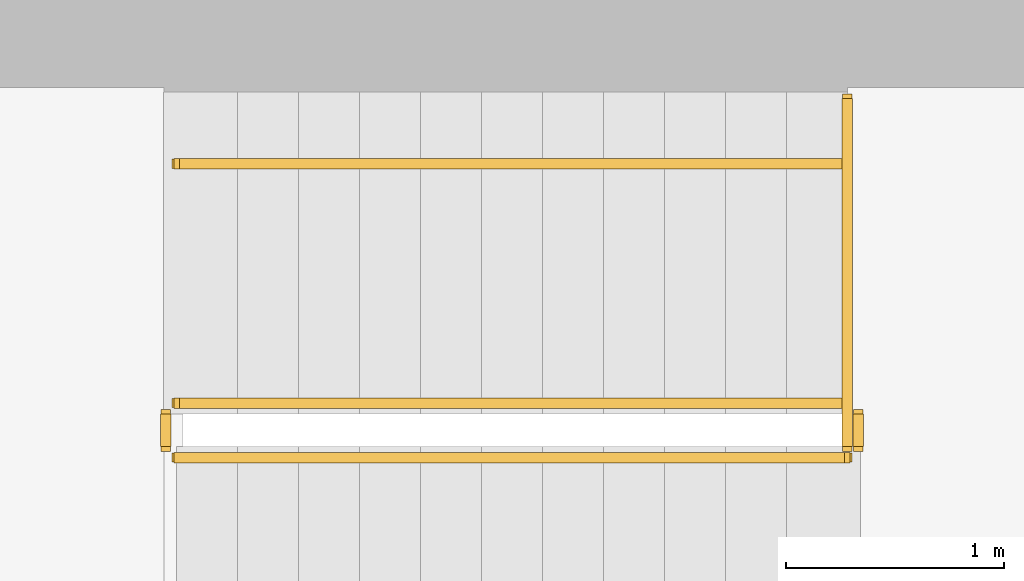
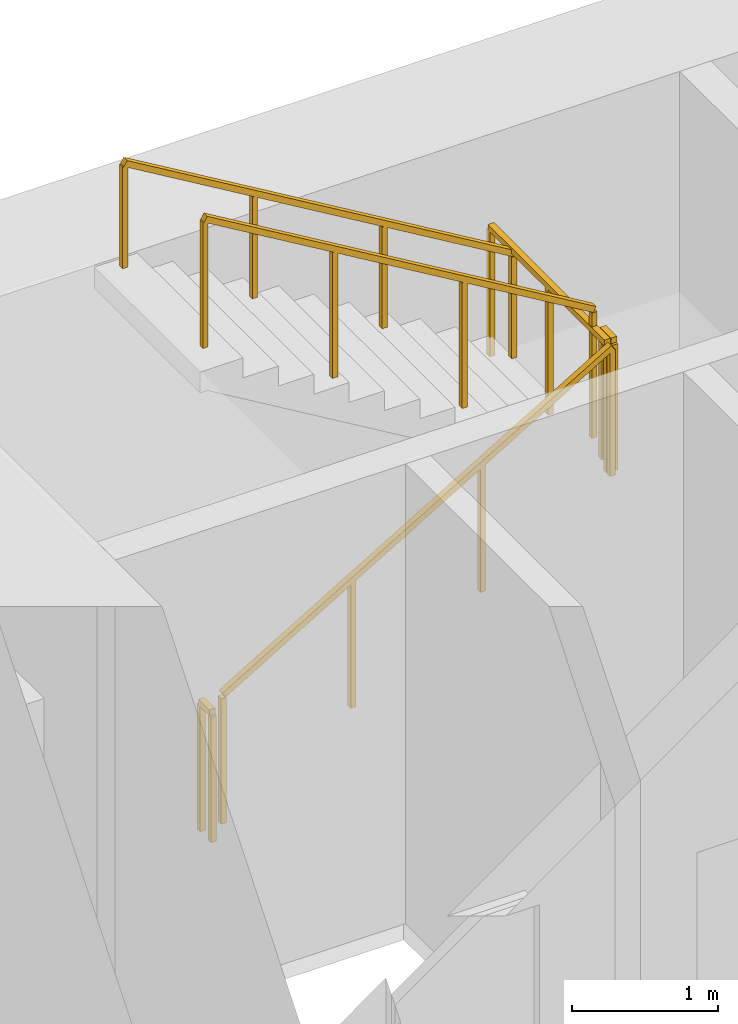
# One storey, part 16 of 17: 6 railings.
"""IFC4 building model written with IfcOpenShell, lengths in metres."""

from ifc_helpers import new_model, si_unit, direction, frame, origin, origin_2d, place, context, subcontext, project, spatial, rectangle, extrude, material, type_object, element, save


model = new_model("IFC4")

# Units and contexts
model_context = context("Model", 3, precision=1e-05, world=origin(), true_north=direction((0.0, 1.0)))
body_context = subcontext(model_context, "Body", "Model", "MODEL_VIEW")
ifc_project = project(units=[si_unit("LENGTHUNIT", "METRE"), si_unit("AREAUNIT", "SQUARE_METRE"), si_unit("VOLUMEUNIT", "CUBIC_METRE"), si_unit("PLANEANGLEUNIT", "RADIAN"), si_unit("MASSUNIT", "GRAM", prefix="KILO")], contexts=[model_context])

# Site, building, storey
site_placement = place(None, origin())
site = spatial("IfcSite", under=ifc_project, at=site_placement, CompositionType="ELEMENT")
building_placement = place(site_placement, origin())
building = spatial("IfcBuilding", under=site, at=building_placement, Name="Sennacour Bend Tower", CompositionType="ELEMENT")
storey_placement = place(building_placement, frame((0.0, 0.0, 155.0)))
storey = spatial("IfcBuildingStorey", under=building, at=storey_placement, Name="L35", CompositionType="ELEMENT", Elevation=155.0)

# Railings
ifc_material = material(Name="Stainless steel", Category="steel")
railing_type_1 = type_object("IfcRailingType", Name="RL-GUARD-1100", PredefinedType="GUARDRAIL", material=ifc_material)
railing_1_placement = place(storey_placement, frame((56.699951171875, 19.85009765625, 0.166748046875)))
element("IfcRailing", 1, at=railing_1_placement, inside=storey, type_object=railing_type_1, Name="L35 SA2 stair guard 1", PredefinedType="GUARDRAIL", context=body_context, shape_type="SweptSolid", body=[
    extrude(rectangle(XDim=0.048095703125, YDim=0.048095703125, at=origin_2d()), frame((0.0, 0.0, 1.076171875), z_axis=(0.859308565015, 0.0, 0.511457515432), x_axis=(0.0, 1.0, 0.0)), (0.0, 0.0, 1.0), 3.58447265625),
    extrude(rectangle(XDim=0.0419921875, YDim=0.0419921875, at=origin_2d()), origin(), (0.0, 0.0, 1.0), 1.052001953125),
    extrude(rectangle(XDim=0.0419921875, YDim=0.0419921875, at=origin_2d()), frame((1.026611328125, 0.0, 0.611083984375)), (0.0, 0.0, 1.0), 1.052001953125),
    extrude(rectangle(XDim=0.0419921875, YDim=0.0419921875, at=origin_2d()), frame((2.053466796875, 0.0, 1.22216796875)), (0.0, 0.0, 1.0), 1.052001953125),
    extrude(rectangle(XDim=0.0419921875, YDim=0.0419921875, at=origin_2d()), frame((3.080078125, 0.0, 1.833251953125)), (0.0, 0.0, 1.0), 1.052001953125),
])
railing_2_placement = place(storey_placement, frame((59.830078125, 19.89990234375, 2.0)))
element("IfcRailing", 2, at=railing_2_placement, inside=storey, type_object=railing_type_1, Name="L35 SA2 stair guard 2", PredefinedType="GUARDRAIL", context=body_context, shape_type="SweptSolid", body=[
    extrude(rectangle(XDim=0.048095703125, YDim=0.048095703125, at=origin_2d()), frame((0.0, 0.0, 1.076171875), z_axis=(0.0, 1.0, 0.0), x_axis=(-1.0, 0.0, 0.0)), (0.0, 0.0, 1.0), 0.150146484375),
    extrude(rectangle(XDim=0.0419921875, YDim=0.0419921875, at=origin_2d()), origin(), (0.0, 0.0, 1.0), 1.052001953125),
    extrude(rectangle(XDim=0.0419921875, YDim=0.0419921875, at=origin_2d()), frame((0.0, 0.150146484375, 0.0)), (0.0, 0.0, 1.0), 1.052001953125),
])
railing_3_placement = place(storey_placement, frame((59.780029296875, 20.10009765625, 2.166748046875)))
element("IfcRailing", 3, at=railing_3_placement, inside=storey, type_object=railing_type_1, Name="L35 SA2 stair guard 4", PredefinedType="GUARDRAIL", context=body_context, shape_type="SweptSolid", body=[
    extrude(rectangle(XDim=0.048095703125, YDim=0.048095703125, at=origin_2d()), frame((0.0, 0.0, 1.076171875), z_axis=(-0.859308565015, 0.0, 0.511457515432), x_axis=(0.0, -1.0, 0.0)), (0.0, 0.0, 1.0), 3.58447265625),
    extrude(rectangle(XDim=0.0419921875, YDim=0.0419921875, at=origin_2d()), origin(), (0.0, 0.0, 1.0), 1.052001953125),
    extrude(rectangle(XDim=0.0419921875, YDim=0.0419921875, at=origin_2d()), frame((-1.026611328125, 0.0, 0.611083984375)), (0.0, 0.0, 1.0), 1.052001953125),
    extrude(rectangle(XDim=0.0419921875, YDim=0.0419921875, at=origin_2d()), frame((-2.053466796875, 0.0, 1.22216796875)), (0.0, 0.0, 1.0), 1.052001953125),
    extrude(rectangle(XDim=0.0419921875, YDim=0.0419921875, at=origin_2d()), frame((-3.080078125, 0.0, 1.833251953125)), (0.0, 0.0, 1.0), 1.052001953125),
])
railing_4_placement = place(storey_placement, frame((56.64990234375, 19.89990234375, 0.0)))
element("IfcRailing", 4, at=railing_4_placement, inside=storey, type_object=railing_type_1, Name="L35 SA2 stair guard 5", PredefinedType="GUARDRAIL", context=body_context, shape_type="SweptSolid", body=[
    extrude(rectangle(XDim=0.048095703125, YDim=0.048095703125, at=origin_2d()), frame((0.0, 0.0, 1.076171875), z_axis=(0.0, 1.0, 0.0), x_axis=(-1.0, 0.0, 0.0)), (0.0, 0.0, 1.0), 0.150146484375),
    extrude(rectangle(XDim=0.0419921875, YDim=0.0419921875, at=origin_2d()), origin(), (0.0, 0.0, 1.0), 1.052001953125),
    extrude(rectangle(XDim=0.0419921875, YDim=0.0419921875, at=origin_2d()), frame((0.0, 0.150146484375, 0.0)), (0.0, 0.0, 1.0), 1.052001953125),
])
railing_5_placement = place(storey_placement, frame((59.780029296875, 19.89990234375, 2.0)))
element("IfcRailing", 5, at=railing_5_placement, inside=storey, type_object=railing_type_1, Name="L35 SA2 landing edge guard 50", PredefinedType="GUARDRAIL", context=body_context, shape_type="SweptSolid", body=[
    extrude(rectangle(XDim=0.048095703125, YDim=0.048095703125, at=origin_2d()), frame((0.0, 0.0, 1.076171875), z_axis=(0.0, 1.0, 0.0), x_axis=(-1.0, 0.0, 0.0)), (0.0, 0.0, 1.0), 1.60009765625),
    extrude(rectangle(XDim=0.0419921875, YDim=0.0419921875, at=origin_2d()), origin(), (0.0, 0.0, 1.0), 1.052001953125),
    extrude(rectangle(XDim=0.0419921875, YDim=0.0419921875, at=origin_2d()), frame((0.0, 0.800048828125, 0.0)), (0.0, 0.0, 1.0), 1.052001953125),
    extrude(rectangle(XDim=0.0419921875, YDim=0.0419921875, at=origin_2d()), frame((0.0, 1.60009765625, 0.0)), (0.0, 0.0, 1.0), 1.052001953125),
])
railing_type_2 = type_object("IfcRailingType", Name="RL-HANDRAIL-900", PredefinedType="HANDRAIL", material=ifc_material)
railing_6_placement = place(storey_placement, frame((59.780029296875, 21.199951171875, 2.166748046875)))
element("IfcRailing", 6, at=railing_6_placement, inside=storey, type_object=railing_type_2, Name="L35 SA2 stair handrail 2", PredefinedType="HANDRAIL", context=body_context, shape_type="SweptSolid", body=[
    extrude(rectangle(XDim=0.048095703125, YDim=0.048095703125, at=origin_2d()), frame((0.0, 0.0, 0.8759765625), z_axis=(-0.859308565015, 0.0, 0.511457515432), x_axis=(0.0, -1.0, 0.0)), (0.0, 0.0, 1.0), 3.58447265625),
    extrude(rectangle(XDim=0.0419921875, YDim=0.0419921875, at=origin_2d()), origin(), (0.0, 0.0, 1.0), 0.851806640625),
    extrude(rectangle(XDim=0.0419921875, YDim=0.0419921875, at=origin_2d()), frame((-1.026611328125, 0.0, 0.611083984375)), (0.0, 0.0, 1.0), 0.851806640625),
    extrude(rectangle(XDim=0.0419921875, YDim=0.0419921875, at=origin_2d()), frame((-2.053466796875, 0.0, 1.22216796875)), (0.0, 0.0, 1.0), 0.851806640625),
    extrude(rectangle(XDim=0.0419921875, YDim=0.0419921875, at=origin_2d()), frame((-3.080078125, 0.0, 1.833251953125)), (0.0, 0.0, 1.0), 0.851806640625),
])

save(model, "model.ifc")
